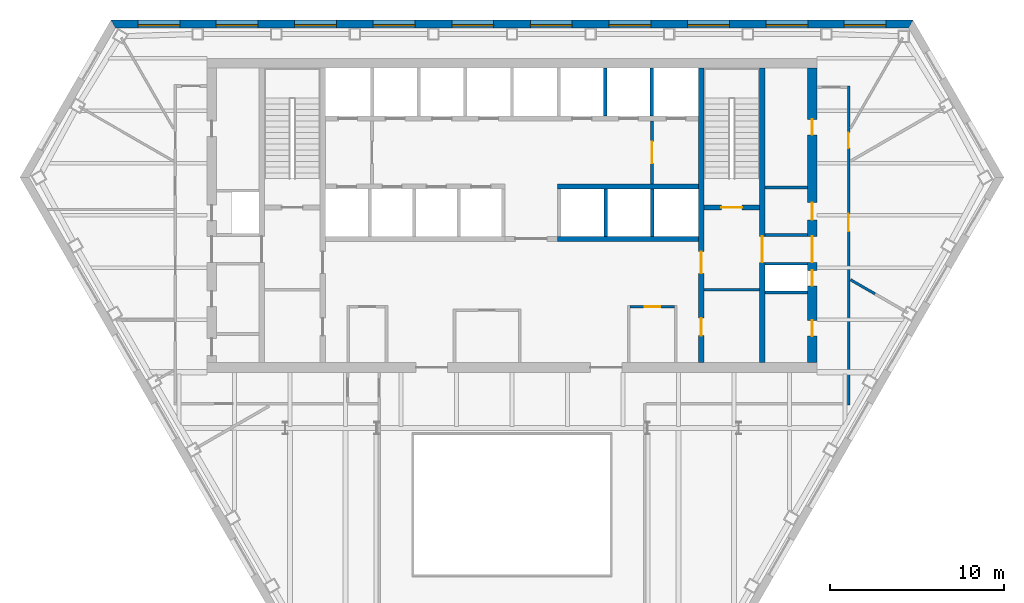
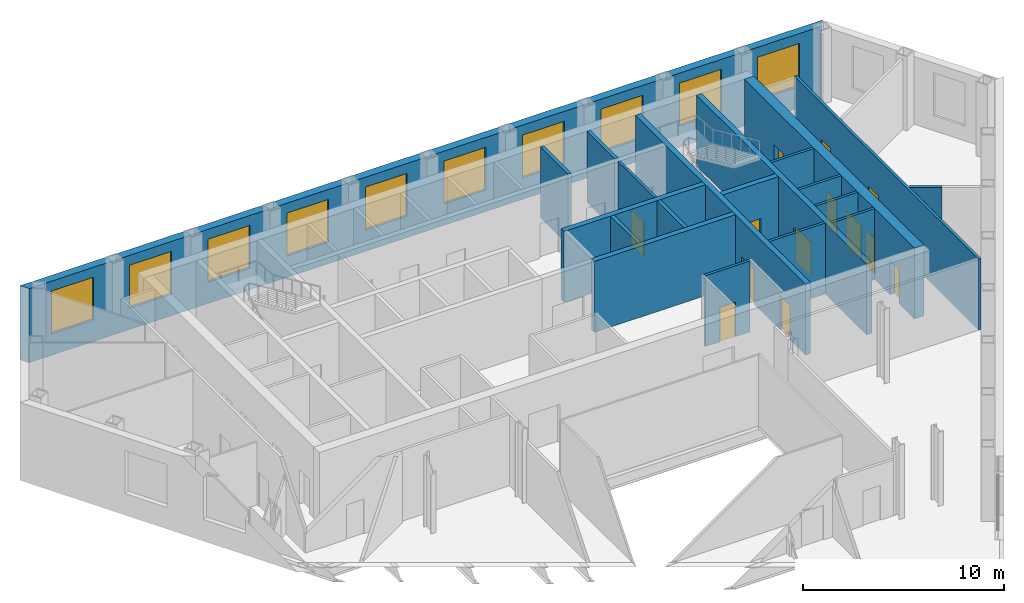
# One storey, part 7 of 11: 20 walls, 13 doors, 10 windows, 23 openings.
"""IFC4 building model written with IfcOpenShell, lengths in metres."""

from ifc_helpers import new_model, si_unit, direction, frame, frame_2d, origin, place, context, subcontext, project, spatial, polyline, rectangle, outline, extrude, material, layer, layer_set, type_object, element, fill, save


model = new_model("IFC4")

# Units and contexts
model_context = context("Model", 3, precision=1e-05, world=origin(), true_north=direction((0.0, 1.0)))
body_context = subcontext(model_context, "Body", "Model", "MODEL_VIEW")
ifc_project = project(units=[si_unit("LENGTHUNIT", "METRE"), si_unit("AREAUNIT", "SQUARE_METRE"), si_unit("VOLUMEUNIT", "CUBIC_METRE"), si_unit("PLANEANGLEUNIT", "RADIAN"), si_unit("MASSUNIT", "GRAM", prefix="KILO")], contexts=[model_context])

# Site, building, storey
site_placement = place(None, origin())
site = spatial("IfcSite", under=ifc_project, at=site_placement, CompositionType="ELEMENT")
building_placement = place(site_placement, origin())
building = spatial("IfcBuilding", under=site, at=building_placement, Name="Njiva Tower", CompositionType="ELEMENT")
storey_placement = place(building_placement, frame((0.0, 0.0, 93.3)))
storey = spatial("IfcBuildingStorey", under=building, at=storey_placement, Name="L19", CompositionType="ELEMENT", Elevation=93.3)

# Walls
ifc_material_1 = material(Name="Blockwork", Category="masonry")
ifc_layer_1 = layer(ifc_material_1, 0.15)
ifc_layer_set_1 = layer_set([ifc_layer_1], Name="Blockwork")
wall_type_1 = type_object("IfcWallType", Name="WT1 Compartment partition 150", PredefinedType="PARTITIONING", material=ifc_layer_set_1)
wall_1_placement = place(storey_placement, frame((11.0, 4.725, 0.0), z_axis=(0.0, 0.0, 1.0), x_axis=(1.0, 0.0, 0.0)))
element("IfcWall", 1, at=wall_1_placement, inside=storey, type_object=wall_type_1, Name="Room wall B", PredefinedType="PARTITIONING", context=body_context, shape_type="SweptSolid", body=[
    extrude(rectangle(XDim=3.2, YDim=0.15, at=frame_2d((1.6, 0.0))), origin(), (0.0, 0.0, 1.0), 4.3),
])
wall_2_placement = place(storey_placement, frame((14.5, 10.5941, 0.0), z_axis=(0.0, 0.0, 1.0), x_axis=(1.0, 0.0, 0.0)))
element("IfcWall", 2, at=wall_2_placement, inside=storey, type_object=wall_type_1, Name="Partition strip E10", PredefinedType="PARTITIONING", context=body_context, shape_type="SweptSolid", body=[
    extrude(rectangle(XDim=2.45, YDim=0.15, at=frame_2d((1.225, 0.0))), origin(), (0.0, 0.0, 1.0), 4.3),
])

# Wall, opening, door
wall_3_placement = place(storey_placement, frame((6.775, 3.75, 0.0), z_axis=(0.0, 0.0, 1.0), x_axis=(1.0, 0.0, 0.0)))
wall_3 = element("IfcWall", 3, at=wall_3_placement, inside=storey, type_object=wall_type_1, Name="Information office wall north", PredefinedType="PARTITIONING", context=body_context, shape_type="SweptSolid", body=[
    extrude(rectangle(XDim=2.55, YDim=0.15, at=frame_2d((1.275, 0.0))), origin(), (0.0, 0.0, 1.0), 4.3),
])
opening_1_placement = place(wall_3_placement, frame((0.825, 0.0, 0.0)))
opening_1 = element("IfcOpeningElement", 4, at=opening_1_placement, cuts=wall_3, Name="Opening S06-D934", PredefinedType="OPENING", context=body_context, shape_type="SweptSolid", body=[
    extrude(rectangle(XDim=0.9, YDim=2.1, at=frame_2d((0.45, 1.05))), frame((0.0, 0.085, 0.0), z_axis=(0.0, -1.0, 0.0), x_axis=(1.0, 0.0, 0.0)), (0.0, 0.0, 1.0), 0.17),
])
ifc_material_2 = material(Name="Steel fire door, painted", Category="steel")
door_type_1 = type_object("IfcDoorType", Name="D6 Fire-rated door 900x2100", OperationType="SINGLE_SWING_LEFT", PredefinedType="DOOR", material=ifc_material_2)
door_1_placement = place(opening_1_placement, origin())
door_1 = element("IfcDoor", 5, at=door_1_placement, inside=storey, type_object=door_type_1, Name="Information office door", OperationType="SINGLE_SWING_RIGHT", OverallHeight=2.1, OverallWidth=0.9, PredefinedType="DOOR", context=body_context, shape_type="SweptSolid", body=[
    extrude(rectangle(XDim=0.9, YDim=2.1, at=frame_2d((0.45, 1.05))), frame((0.0, 0.025, 0.0), z_axis=(0.0, -1.0, 0.0), x_axis=(1.0, 0.0, 0.0)), (0.0, 0.0, 1.0), 0.05),
])
fill(opening_1, door_1)

# Wall, openings, doors
ifc_material_3 = material(Name="Concrete C40/50", Category="concrete")
ifc_layer_2 = layer(ifc_material_3, 0.3)
ifc_layer_set_2 = layer_set([ifc_layer_2], Name="Concrete C40/50")
wall_type_2 = type_object("IfcWallType", Name="WT10 Stair enclosure wall 300", PredefinedType="SHEAR", material=ifc_layer_set_2)
wall_4_placement = place(storey_placement, frame((10.85, 0.55, 0.0), z_axis=(0.0, 0.0, 1.0), x_axis=(0.0, 1.0, 0.0)))
wall_4 = element("IfcWall", 6, at=wall_4_placement, inside=storey, type_object=wall_type_2, Name="Stair wall east inner", PredefinedType="SHEAR", context=body_context, shape_type="SweptSolid", body=[
    extrude(rectangle(XDim=16.9, YDim=0.3, at=frame_2d((8.45, 0.0))), origin(), (0.0, 0.0, 1.0), 4.3),
])
opening_2_placement = place(wall_4_placement, frame((5.125, 0.0, 0.0)))
opening_2 = element("IfcOpeningElement", 7, at=opening_2_placement, cuts=wall_4, Name="Opening S06-D918", PredefinedType="OPENING", context=body_context, shape_type="SweptSolid", body=[
    extrude(rectangle(XDim=1.25, YDim=2.1, at=frame_2d((0.625, 1.05))), frame((0.0, 0.16, 0.0), z_axis=(0.0, -1.0, 0.0), x_axis=(1.0, 0.0, 0.0)), (0.0, 0.0, 1.0), 0.32),
])
opening_3_placement = place(wall_4_placement, frame((1.55, 0.0, 0.0)))
opening_3 = element("IfcOpeningElement", 8, at=opening_3_placement, cuts=wall_4, Name="Opening S06-D919", PredefinedType="OPENING", context=body_context, shape_type="SweptSolid", body=[
    extrude(rectangle(XDim=1.0, YDim=2.1, at=frame_2d((0.5, 1.05))), frame((0.0, 0.16, 0.0), z_axis=(0.0, -1.0, 0.0), x_axis=(1.0, 0.0, 0.0)), (0.0, 0.0, 1.0), 0.32),
])
ifc_material_4 = material(Name="Steel door, painted", Category="steel")
door_type_2 = type_object("IfcDoorType", Name="D5 Steel door 1000x2100", OperationType="SINGLE_SWING_LEFT", PredefinedType="DOOR", material=ifc_material_4)
door_2_placement = place(opening_3_placement, origin())
door_2 = element("IfcDoor", 9, at=door_2_placement, inside=storey, type_object=door_type_2, Name="Business centre door", OperationType="SINGLE_SWING_LEFT", OverallHeight=2.1, OverallWidth=1.0, PredefinedType="DOOR", context=body_context, shape_type="SweptSolid", body=[
    extrude(rectangle(XDim=1.0, YDim=2.1, at=frame_2d((0.5, 1.05))), frame((0.0, 0.025, 0.0), z_axis=(0.0, -1.0, 0.0), x_axis=(1.0, 0.0, 0.0)), (0.0, 0.0, 1.0), 0.05),
])
fill(opening_3, door_2)
ifc_material_5 = material(Name="Glazed steel fire door", Category="steel")
door_type_3 = type_object("IfcDoorType", Name="D8 Vestibule corridor door 1250x2100 glazed", OperationType="SINGLE_SWING_LEFT", PredefinedType="DOOR", material=ifc_material_5)
door_3_placement = place(opening_2_placement, origin())
door_3 = element("IfcDoor", 10, at=door_3_placement, inside=storey, type_object=door_type_3, Name="Stair vestibule corridor door", OperationType="SINGLE_SWING_RIGHT", OverallHeight=2.1, OverallWidth=1.25, PredefinedType="DOOR", context=body_context, shape_type="SweptSolid", body=[
    extrude(rectangle(XDim=1.25, YDim=2.1, at=frame_2d((0.625, 1.05))), frame((0.0, 0.025, 0.0), z_axis=(0.0, -1.0, 0.0), x_axis=(1.0, 0.0, 0.0)), (0.0, 0.0, 1.0), 0.05),
])
fill(opening_2, door_3)

# Wall, opening, door
wall_5_placement = place(storey_placement, frame((14.35, 0.55, 0.0), z_axis=(0.0, 0.0, 1.0), x_axis=(0.0, 1.0, 0.0)))
wall_5 = element("IfcWall", 11, at=wall_5_placement, inside=storey, type_object=wall_type_2, Name="Stair wall east outer", PredefinedType="SHEAR", context=body_context, shape_type="SweptSolid", body=[
    extrude(rectangle(XDim=16.9, YDim=0.3, at=frame_2d((8.45, 0.0))), origin(), (0.0, 0.0, 1.0), 4.3),
])
opening_4_placement = place(wall_5_placement, frame((5.75, 0.0, 0.0)))
opening_4 = element("IfcOpeningElement", 12, at=opening_4_placement, cuts=wall_5, Name="Opening S06-D926", PredefinedType="OPENING", context=body_context, shape_type="SweptSolid", body=[
    extrude(rectangle(XDim=1.5, YDim=2.1, at=frame_2d((0.75, 1.05))), frame((0.0, 0.16, 0.0), z_axis=(0.0, -1.0, 0.0), x_axis=(1.0, 0.0, 0.0)), (0.0, 0.0, 1.0), 0.32),
])
door_type_4 = type_object("IfcDoorType", Name="D10 Exit door double 1500x2100 glazed", OperationType="DOUBLE_DOOR_SINGLE_SWING", PredefinedType="DOOR", material=ifc_material_5)
door_4_placement = place(opening_4_placement, origin())
door_4 = element("IfcDoor", 13, at=door_4_placement, inside=storey, type_object=door_type_4, Name="Stair B passage door", OperationType="DOUBLE_DOOR_SINGLE_SWING", OverallHeight=2.1, OverallWidth=1.5, PredefinedType="DOOR", context=body_context, shape_type="SweptSolid", body=[
    extrude(rectangle(XDim=1.5, YDim=2.1, at=frame_2d((0.75, 1.05))), frame((0.0, 0.025, 0.0), z_axis=(0.0, -1.0, 0.0), x_axis=(1.0, 0.0, 0.0)), (0.0, 0.0, 1.0), 0.05),
])
fill(opening_4, door_4)

wall_6_placement = place(storey_placement, frame((11.0, 9.45, 0.0), z_axis=(0.0, 0.0, 1.0), x_axis=(1.0, 0.0, 0.0)))
wall_6 = element("IfcWall", 14, at=wall_6_placement, inside=storey, type_object=wall_type_2, Name="Stair B south wall", PredefinedType="SHEAR", context=body_context, shape_type="SweptSolid", body=[
    extrude(rectangle(XDim=3.2, YDim=0.3, at=frame_2d((1.6, 0.0))), origin(), (0.0, 0.0, 1.0), 4.3),
])
opening_5_placement = place(wall_6_placement, frame((1.0, 0.0, 0.0)))
opening_5 = element("IfcOpeningElement", 15, at=opening_5_placement, cuts=wall_6, Name="Opening S06-D917", PredefinedType="OPENING", context=body_context, shape_type="SweptSolid", body=[
    extrude(rectangle(XDim=1.2, YDim=2.1, at=frame_2d((0.6, 1.05))), frame((0.0, 0.16, 0.0), z_axis=(0.0, -1.0, 0.0), x_axis=(1.0, 0.0, 0.0)), (0.0, 0.0, 1.0), 0.32),
])
door_type_5 = type_object("IfcDoorType", Name="D7 Stair vestibule door 1200x2100 glazed", OperationType="SINGLE_SWING_LEFT", PredefinedType="DOOR", material=ifc_material_5)
door_5_placement = place(opening_5_placement, origin())
door_5 = element("IfcDoor", 16, at=door_5_placement, inside=storey, type_object=door_type_5, Name="Stair B door", OperationType="SINGLE_SWING_LEFT", OverallHeight=2.1, OverallWidth=1.2, PredefinedType="DOOR", context=body_context, shape_type="SweptSolid", body=[
    extrude(rectangle(XDim=1.2, YDim=2.1, at=frame_2d((0.6, 1.05))), frame((0.0, 0.025, 0.0), z_axis=(0.0, -1.0, 0.0), x_axis=(1.0, 0.0, 0.0)), (0.0, 0.0, 1.0), 0.05),
])
fill(opening_5, door_5)

# Wall, openings, doors
ifc_material_6 = material(Name="Concrete C60/75", Category="concrete")
ifc_layer_3 = layer(ifc_material_6, 0.55)
ifc_layer_set_3 = layer_set([ifc_layer_3], Name="Concrete C60/75")
wall_type_3 = type_object("IfcWallType", Name="WT14 Core wall 550", PredefinedType="SHEAR", material=ifc_layer_set_3)
wall_7_placement = place(storey_placement, frame((17.225, 0.55, 0.0), z_axis=(0.0, 0.0, 1.0), x_axis=(0.0, 1.0, 0.0)))
wall_7 = element("IfcWall", 17, at=wall_7_placement, inside=storey, type_object=wall_type_3, Name="Core wall east", PredefinedType="SHEAR", context=body_context, shape_type="SweptSolid", body=[
    extrude(rectangle(XDim=16.9, YDim=0.55, at=frame_2d((8.45, 0.0))), origin(), (0.0, 0.0, 1.0), 4.3),
])
opening_6_placement = place(wall_7_placement, frame((5.75, 0.0, 0.0)))
opening_6 = element("IfcOpeningElement", 18, at=opening_6_placement, cuts=wall_7, Name="Opening S06-D927", PredefinedType="OPENING", context=body_context, shape_type="SweptSolid", body=[
    extrude(rectangle(XDim=1.5, YDim=2.1, at=frame_2d((0.75, 1.05))), frame((0.0, 0.285, 0.0), z_axis=(0.0, -1.0, 0.0), x_axis=(1.0, 0.0, 0.0)), (0.0, 0.0, 1.0), 0.57),
])
opening_7_placement = place(wall_7_placement, frame((1.525, 0.0, 0.0)))
opening_7 = element("IfcOpeningElement", 19, at=opening_7_placement, cuts=wall_7, Name="Opening S06-D928", PredefinedType="OPENING", context=body_context, shape_type="SweptSolid", body=[
    extrude(rectangle(XDim=0.9, YDim=2.1, at=frame_2d((0.45, 1.05))), frame((0.0, 0.285, 0.0), z_axis=(0.0, -1.0, 0.0), x_axis=(1.0, 0.0, 0.0)), (0.0, 0.0, 1.0), 0.57),
])
opening_8_placement = place(wall_7_placement, frame((4.4, 0.0, 0.0)))
opening_8 = element("IfcOpeningElement", 20, at=opening_8_placement, cuts=wall_7, Name="Opening S06-D929", PredefinedType="OPENING", context=body_context, shape_type="SweptSolid", body=[
    extrude(rectangle(XDim=0.9, YDim=2.1, at=frame_2d((0.45, 1.05))), frame((0.0, 0.285, 0.0), z_axis=(0.0, -1.0, 0.0), x_axis=(1.0, 0.0, 0.0)), (0.0, 0.0, 1.0), 0.57),
])
opening_9_placement = place(wall_7_placement, frame((8.1845, 0.0, 0.0)))
opening_9 = element("IfcOpeningElement", 21, at=opening_9_placement, cuts=wall_7, Name="Opening S06-D930", PredefinedType="OPENING", context=body_context, shape_type="SweptSolid", body=[
    extrude(rectangle(XDim=1.0, YDim=2.1, at=frame_2d((0.5, 1.05))), frame((0.0, 0.285, 0.0), z_axis=(0.0, -1.0, 0.0), x_axis=(1.0, 0.0, 0.0)), (0.0, 0.0, 1.0), 0.57),
])
opening_10_placement = place(wall_7_placement, frame((13.0595, 0.0, 0.0)))
opening_10 = element("IfcOpeningElement", 22, at=opening_10_placement, cuts=wall_7, Name="Opening S06-D931", PredefinedType="OPENING", context=body_context, shape_type="SweptSolid", body=[
    extrude(rectangle(XDim=0.9, YDim=2.1, at=frame_2d((0.45, 1.05))), frame((0.0, 0.285, 0.0), z_axis=(0.0, -1.0, 0.0), x_axis=(1.0, 0.0, 0.0)), (0.0, 0.0, 1.0), 0.57),
])
door_6_placement = place(opening_6_placement, origin())
door_6 = element("IfcDoor", 23, at=door_6_placement, inside=storey, type_object=door_type_4, Name="Stair B corridor door", OperationType="DOUBLE_DOOR_SINGLE_SWING", OverallHeight=2.1, OverallWidth=1.5, PredefinedType="DOOR", context=body_context, shape_type="SweptSolid", body=[
    extrude(rectangle(XDim=1.5, YDim=2.1, at=frame_2d((0.75, 1.05))), frame((0.0, 0.025, 0.0), z_axis=(0.0, -1.0, 0.0), x_axis=(1.0, 0.0, 0.0)), (0.0, 0.0, 1.0), 0.05),
])
fill(opening_6, door_6)
door_type_6 = type_object("IfcDoorType", Name="D4 Riser door 900x2100", OperationType="SINGLE_SWING_LEFT", PredefinedType="DOOR", material=ifc_material_4)
door_7_placement = place(opening_8_placement, origin())
door_7 = element("IfcDoor", 24, at=door_7_placement, inside=storey, type_object=door_type_6, Name="Riser door", OperationType="SINGLE_SWING_LEFT", OverallHeight=2.1, OverallWidth=0.9, PredefinedType="DOOR", context=body_context, shape_type="SweptSolid", body=[
    extrude(rectangle(XDim=0.9, YDim=2.1, at=frame_2d((0.45, 1.05))), frame((0.0, 0.025, 0.0), z_axis=(0.0, -1.0, 0.0), x_axis=(1.0, 0.0, 0.0)), (0.0, 0.0, 1.0), 0.05),
])
fill(opening_8, door_7)
door_8_placement = place(opening_9_placement, origin())
door_8 = element("IfcDoor", 25, at=door_8_placement, inside=storey, type_object=door_type_2, Name="Telecoms room door", OperationType="SINGLE_SWING_LEFT", OverallHeight=2.1, OverallWidth=1.0, PredefinedType="DOOR", context=body_context, shape_type="SweptSolid", body=[
    extrude(rectangle(XDim=1.0, YDim=2.1, at=frame_2d((0.5, 1.05))), frame((0.0, 0.025, 0.0), z_axis=(0.0, -1.0, 0.0), x_axis=(1.0, 0.0, 0.0)), (0.0, 0.0, 1.0), 0.05),
])
fill(opening_9, door_8)
door_9_placement = place(opening_7_placement, origin())
door_9 = element("IfcDoor", 26, at=door_9_placement, inside=storey, type_object=door_type_1, Name="Reading room door", OperationType="SINGLE_SWING_RIGHT", OverallHeight=2.1, OverallWidth=0.9, PredefinedType="DOOR", context=body_context, shape_type="SweptSolid", body=[
    extrude(rectangle(XDim=0.9, YDim=2.1, at=frame_2d((0.45, 1.05))), frame((0.0, 0.025, 0.0), z_axis=(0.0, -1.0, 0.0), x_axis=(1.0, 0.0, 0.0)), (0.0, 0.0, 1.0), 0.05),
])
fill(opening_7, door_9)
door_10_placement = place(opening_10_placement, origin())
door_10 = element("IfcDoor", 27, at=door_10_placement, inside=storey, type_object=door_type_1, Name="Tenant centre door", OperationType="SINGLE_SWING_LEFT", OverallHeight=2.1, OverallWidth=0.9, PredefinedType="DOOR", context=body_context, shape_type="SweptSolid", body=[
    extrude(rectangle(XDim=0.9, YDim=2.1, at=frame_2d((0.45, 1.05))), frame((0.0, 0.025, 0.0), z_axis=(0.0, -1.0, 0.0), x_axis=(1.0, 0.0, 0.0)), (0.0, 0.0, 1.0), 0.05),
])
fill(opening_10, door_10)

# Wall, opening, door
ifc_layer_4 = layer(ifc_material_1, 0.15)
ifc_layer_set_4 = layer_set([ifc_layer_4], Name="Blockwork")
wall_type_4 = type_object("IfcWallType", Name="WT2 Lobby partition 150", PredefinedType="PARTITIONING", material=ifc_layer_set_4)
wall_8_placement = place(storey_placement, frame((8.025, 10.8, 0.0), z_axis=(0.0, 0.0, 1.0), x_axis=(0.0, 1.0, 0.0)))
wall_8 = element("IfcWall", 28, at=wall_8_placement, inside=storey, type_object=wall_type_4, Name="Firefighting lobby wall B", PredefinedType="PARTITIONING", context=body_context, shape_type="SweptSolid", body=[
    extrude(rectangle(XDim=3.6, YDim=0.15, at=frame_2d((1.8, 0.0))), origin(), (0.0, 0.0, 1.0), 4.3),
])
opening_11_placement = place(wall_8_placement, frame((1.175, 0.0, 0.0)))
opening_11 = element("IfcOpeningElement", 29, at=opening_11_placement, cuts=wall_8, Name="Opening S06-D916", PredefinedType="OPENING", context=body_context, shape_type="SweptSolid", body=[
    extrude(rectangle(XDim=1.25, YDim=2.1, at=frame_2d((0.625, 1.05))), frame((0.0, 0.085, 0.0), z_axis=(0.0, -1.0, 0.0), x_axis=(1.0, 0.0, 0.0)), (0.0, 0.0, 1.0), 0.17),
])
door_11_placement = place(opening_11_placement, origin())
door_11 = element("IfcDoor", 30, at=door_11_placement, inside=storey, type_object=door_type_3, Name="Stair vestibule corridor door", OperationType="SINGLE_SWING_LEFT", OverallHeight=2.1, OverallWidth=1.25, PredefinedType="DOOR", context=body_context, shape_type="SweptSolid", body=[
    extrude(rectangle(XDim=1.25, YDim=2.1, at=frame_2d((0.625, 1.05))), frame((0.0, 0.025, 0.0), z_axis=(0.0, -1.0, 0.0), x_axis=(1.0, 0.0, 0.0)), (0.0, 0.0, 1.0), 0.05),
])
fill(opening_11, door_11)

# Wall, openings, doors
ifc_material_7 = material(Name="Gypsum board on steel studs", Category="gypsum")
ifc_layer_5 = layer(ifc_material_7, 0.15)
ifc_layer_set_5 = layer_set([ifc_layer_5], Name="Gypsum board on steel studs")
wall_type_5 = type_object("IfcWallType", Name="WT21 Compartment wall 150", PredefinedType="PARTITIONING", material=ifc_layer_set_5)
wall_9_placement = place(storey_placement, frame((19.3, -1.875, 0.0), z_axis=(0.0, 0.0, 1.0), x_axis=(0.0, 1.0, 0.0)))
wall_9 = element("IfcWall", 31, at=wall_9_placement, inside=storey, type_object=wall_type_5, Name="Partition S06-P020", PredefinedType="PARTITIONING", context=body_context, shape_type="SweptSolid", body=[
    extrude(rectangle(XDim=18.3, YDim=0.15, at=frame_2d((9.15, 0.0))), origin(), (0.0, 0.0, 1.0), 4.3),
])
opening_12_placement = place(wall_9_placement, frame((9.958, 0.0, 0.0)))
opening_12 = element("IfcOpeningElement", 32, at=opening_12_placement, cuts=wall_9, Name="Opening S06-D012", PredefinedType="OPENING", context=body_context, shape_type="SweptSolid", body=[
    extrude(rectangle(XDim=1.0, YDim=2.1, at=frame_2d((0.5, 1.05))), frame((0.0, 0.085, 0.0), z_axis=(0.0, -1.0, 0.0), x_axis=(1.0, 0.0, 0.0)), (0.0, 0.0, 1.0), 0.17),
])
opening_13_placement = place(wall_9_placement, frame((14.725, 0.0, 0.0)))
opening_13 = element("IfcOpeningElement", 33, at=opening_13_placement, cuts=wall_9, Name="Opening S06-D013", PredefinedType="OPENING", context=body_context, shape_type="SweptSolid", body=[
    extrude(rectangle(XDim=0.9, YDim=2.1, at=frame_2d((0.45, 1.05))), frame((0.0, 0.085, 0.0), z_axis=(0.0, -1.0, 0.0), x_axis=(1.0, 0.0, 0.0)), (0.0, 0.0, 1.0), 0.17),
])
ifc_material_8 = material(Name="Steel fire door set", Category="steel")
door_type_7 = type_object("IfcDoorType", Name="D36 Fire door 900x2100", OperationType="SINGLE_SWING_LEFT", PredefinedType="DOOR", material=ifc_material_8)
door_12_placement = place(opening_13_placement, origin())
door_12 = element("IfcDoor", 34, at=door_12_placement, inside=storey, type_object=door_type_7, Name="Door S06-D013", OperationType="SINGLE_SWING_RIGHT", OverallHeight=2.1, OverallWidth=0.9, PredefinedType="DOOR", context=body_context, shape_type="SweptSolid", body=[
    extrude(rectangle(XDim=0.9, YDim=2.1, at=frame_2d((0.45, 1.05))), frame((0.0, 0.025, 0.0), z_axis=(0.0, -1.0, 0.0), x_axis=(1.0, 0.0, 0.0)), (0.0, 0.0, 1.0), 0.05),
])
fill(opening_13, door_12)
door_type_8 = type_object("IfcDoorType", Name="D37 Fire door 1000x2100", OperationType="SINGLE_SWING_LEFT", PredefinedType="DOOR", material=ifc_material_8)
door_13_placement = place(opening_12_placement, origin())
door_13 = element("IfcDoor", 35, at=door_13_placement, inside=storey, type_object=door_type_8, Name="Door S06-D012", OperationType="SINGLE_SWING_RIGHT", OverallHeight=2.1, OverallWidth=1.0, PredefinedType="DOOR", context=body_context, shape_type="SweptSolid", body=[
    extrude(rectangle(XDim=1.0, YDim=2.1, at=frame_2d((0.5, 1.05))), frame((0.0, 0.025, 0.0), z_axis=(0.0, -1.0, 0.0), x_axis=(1.0, 0.0, 0.0)), (0.0, 0.0, 1.0), 0.05),
])
fill(opening_12, door_13)

# Walls
wall_10_placement = place(storey_placement, frame((19.413, 5.306, 0.0), z_axis=(0.0, 0.0, 1.0), x_axis=(0.865835305332, -0.500329115724, 0.0)))
element("IfcWall", 36, at=wall_10_placement, inside=storey, type_object=wall_type_5, Name="Partition S06-P022", PredefinedType="PARTITIONING", context=body_context, shape_type="SweptSolid", body=[
    extrude(rectangle(XDim=1.6169, YDim=0.15, at=frame_2d((0.8084, 0.0))), origin(), (0.0, 0.0, 1.0), 4.3),
])
ifc_layer_6 = layer(ifc_material_1, 0.15)
ifc_layer_set_6 = layer_set([ifc_layer_6], Name="Blockwork")
wall_type_6 = type_object("IfcWallType", Name="WT3 Riser partition 150", PredefinedType="PARTITIONING", material=ifc_layer_set_6)
wall_11_placement = place(storey_placement, frame((14.5, 4.575, 0.0), z_axis=(0.0, 0.0, 1.0), x_axis=(1.0, 0.0, 0.0)))
element("IfcWall", 37, at=wall_11_placement, inside=storey, type_object=wall_type_6, Name="Partition strip E00", PredefinedType="PARTITIONING", context=body_context, shape_type="SweptSolid", body=[
    extrude(rectangle(XDim=2.45, YDim=0.15, at=frame_2d((1.225, 0.0))), origin(), (0.0, 0.0, 1.0), 4.3),
])
ifc_layer_7 = layer(ifc_material_1, 0.15)
ifc_layer_set_7 = layer_set([ifc_layer_7], Name="Blockwork")
wall_type_7 = type_object("IfcWallType", Name="WT4 Stair partition 150", PredefinedType="PARTITIONING", material=ifc_layer_set_7)
for number, where, z_axis, x_axis, name in (
    (38, (14.5, 6.225, 0.0), (0.0, 0.0, 1.0), (1.0, 0.0, 0.0), "Stair B exit passage wall south"),
    (39, (14.5, 7.875, 0.0), (0.0, 0.0, 1.0), (1.0, 0.0, 0.0), "Stair B exit passage wall north"),
):
    element("IfcWall", number, at=place(storey_placement, frame(where, z_axis=z_axis, x_axis=x_axis)), inside=storey, type_object=wall_type_7, Name=name, PredefinedType="PARTITIONING", context=body_context, shape_type="SweptSolid", body=[
        extrude(rectangle(XDim=2.45, YDim=0.15, at=frame_2d((1.225, 0.0))), origin(), (0.0, 0.0, 1.0), 4.3),
    ])
ifc_layer_8 = layer(ifc_material_3, 0.2)
ifc_layer_set_8 = layer_set([ifc_layer_8], Name="Concrete C40/50")
wall_type_8 = type_object("IfcWallType", Name="WT6 Lift shaft wall 200", PredefinedType="SHEAR", material=ifc_layer_set_8)
for number, where, z_axis, x_axis, name in (
    (40, (5.35, 14.7, 0.0), (0.0, 0.0, 1.0), (0.0, 1.0, 0.0), "Shaft wall CN6"),
    (41, (8.025, 14.7, 0.0), (0.0, 0.0, 1.0), (0.0, 1.0, 0.0), "Shaft wall CN7"),
):
    element("IfcWall", number, at=place(storey_placement, frame(where, z_axis=z_axis, x_axis=x_axis)), inside=storey, type_object=wall_type_8, Name=name, PredefinedType="SHEAR", context=body_context, shape_type="SweptSolid", body=[
        extrude(rectangle(XDim=2.75, YDim=0.2, at=frame_2d((1.375, 0.0))), origin(), (0.0, 0.0, 1.0), 4.3),
    ])
for number, where, z_axis, x_axis, name in (
    (42, (5.3667, 7.8, 0.0), (0.0, 0.0, 1.0), (0.0, 1.0, 0.0), "Shaft wall CS6"),
    (43, (8.0333, 7.8, 0.0), (0.0, 0.0, 1.0), (0.0, 1.0, 0.0), "Shaft wall CS7"),
):
    element("IfcWall", number, at=place(storey_placement, frame(where, z_axis=z_axis, x_axis=x_axis)), inside=storey, type_object=wall_type_8, Name=name, PredefinedType="SHEAR", context=body_context, shape_type="SweptSolid", body=[
        extrude(rectangle(XDim=2.7, YDim=0.2, at=frame_2d((1.35, 0.0))), origin(), (0.0, 0.0, 1.0), 4.3),
    ])
ifc_layer_9 = layer(ifc_material_3, 0.3)
ifc_layer_set_9 = layer_set([ifc_layer_9], Name="Concrete C40/50")
wall_type_9 = type_object("IfcWallType", Name="WT7 Lift shaft wall 300", PredefinedType="SHEAR", material=ifc_layer_set_9)
for number, where, z_axis, x_axis, name in (
    (44, (2.6, 10.65, 0.0), (0.0, 0.0, 1.0), (1.0, 0.0, 0.0), "Shaft wall south row lobby side E"),
    (45, (2.6, 7.65, 0.0), (0.0, 0.0, 1.0), (1.0, 0.0, 0.0), "Shaft wall south row back E"),
):
    element("IfcWall", number, at=place(storey_placement, frame(where, z_axis=z_axis, x_axis=x_axis)), inside=storey, type_object=wall_type_9, Name=name, PredefinedType="SHEAR", context=body_context, shape_type="SweptSolid", body=[
        extrude(rectangle(XDim=8.1, YDim=0.3, at=frame_2d((4.05, 0.0))), origin(), (0.0, 0.0, 1.0), 4.3),
    ])

# Wall, openings, windows
ifc_material_9 = material(Name="Brick masonry", Category="masonry")
ifc_layer_10 = layer(ifc_material_9, 0.45)
ifc_layer_set_10 = layer_set([ifc_layer_10], Name="Brick masonry")
wall_type_10 = type_object("IfcWallType", Name="WT90 Brick pier and spandrel wall 450", PredefinedType="SOLIDWALL", material=ifc_layer_set_10)
wall_12_placement = place(storey_placement, frame((22.8651, 19.975, -0.4), z_axis=(0.0, 0.0, 1.0), x_axis=(-1.0, 0.0, 0.0)))
wall_12 = element("IfcWall", 46, at=wall_12_placement, inside=storey, type_object=wall_type_10, Name="Facade wall N", PredefinedType="SOLIDWALL", context=body_context, shape_type="SweptSolid", body=[
    extrude(outline(polyline([(-0.1299, -0.225), (45.8601, -0.225), (45.6003, 0.225), (0.1299, 0.225), (-0.1299, -0.225)])), origin(), (0.0, 0.0, 1.0), 4.5),
])
opening_14_placement = place(wall_12_placement, frame((1.4237, 0.0, 1.3)))
opening_14 = element("IfcOpeningElement", 47, at=opening_14_placement, cuts=wall_12, Name="Opening S06-W01", PredefinedType="OPENING", context=body_context, shape_type="SweptSolid", body=[
    extrude(rectangle(XDim=2.4, YDim=2.6, at=frame_2d((1.2, 1.3))), frame((0.0, 0.235, 0.0), z_axis=(0.0, -1.0, 0.0), x_axis=(1.0, 0.0, 0.0)), (0.0, 0.0, 1.0), 0.47),
])
opening_15_placement = place(wall_12_placement, frame((5.8919, 0.0, 1.3)))
opening_15 = element("IfcOpeningElement", 48, at=opening_15_placement, cuts=wall_12, Name="Opening S06-W02", PredefinedType="OPENING", context=body_context, shape_type="SweptSolid", body=[
    extrude(rectangle(XDim=2.4, YDim=2.6, at=frame_2d((1.2, 1.3))), frame((0.0, 0.235, 0.0), z_axis=(0.0, -1.0, 0.0), x_axis=(1.0, 0.0, 0.0)), (0.0, 0.0, 1.0), 0.47),
])
opening_16_placement = place(wall_12_placement, frame((10.3985, 0.0, 1.3)))
opening_16 = element("IfcOpeningElement", 49, at=opening_16_placement, cuts=wall_12, Name="Opening S06-W03", PredefinedType="OPENING", context=body_context, shape_type="SweptSolid", body=[
    extrude(rectangle(XDim=2.4, YDim=2.6, at=frame_2d((1.2, 1.3))), frame((0.0, 0.235, 0.0), z_axis=(0.0, -1.0, 0.0), x_axis=(1.0, 0.0, 0.0)), (0.0, 0.0, 1.0), 0.47),
])
opening_17_placement = place(wall_12_placement, frame((14.9052, 0.0, 1.3)))
opening_17 = element("IfcOpeningElement", 50, at=opening_17_placement, cuts=wall_12, Name="Opening S06-W04", PredefinedType="OPENING", context=body_context, shape_type="SweptSolid", body=[
    extrude(rectangle(XDim=2.4, YDim=2.6, at=frame_2d((1.2, 1.3))), frame((0.0, 0.235, 0.0), z_axis=(0.0, -1.0, 0.0), x_axis=(1.0, 0.0, 0.0)), (0.0, 0.0, 1.0), 0.47),
])
opening_18_placement = place(wall_12_placement, frame((19.4118, 0.0, 1.3)))
opening_18 = element("IfcOpeningElement", 51, at=opening_18_placement, cuts=wall_12, Name="Opening S06-W05", PredefinedType="OPENING", context=body_context, shape_type="SweptSolid", body=[
    extrude(rectangle(XDim=2.4, YDim=2.6, at=frame_2d((1.2, 1.3))), frame((0.0, 0.235, 0.0), z_axis=(0.0, -1.0, 0.0), x_axis=(1.0, 0.0, 0.0)), (0.0, 0.0, 1.0), 0.47),
])
opening_19_placement = place(wall_12_placement, frame((23.9184, 0.0, 1.3)))
opening_19 = element("IfcOpeningElement", 52, at=opening_19_placement, cuts=wall_12, Name="Opening S06-W06", PredefinedType="OPENING", context=body_context, shape_type="SweptSolid", body=[
    extrude(rectangle(XDim=2.4, YDim=2.6, at=frame_2d((1.2, 1.3))), frame((0.0, 0.235, 0.0), z_axis=(0.0, -1.0, 0.0), x_axis=(1.0, 0.0, 0.0)), (0.0, 0.0, 1.0), 0.47),
])
opening_20_placement = place(wall_12_placement, frame((28.425, 0.0, 1.3)))
opening_20 = element("IfcOpeningElement", 53, at=opening_20_placement, cuts=wall_12, Name="Opening S06-W07", PredefinedType="OPENING", context=body_context, shape_type="SweptSolid", body=[
    extrude(rectangle(XDim=2.4, YDim=2.6, at=frame_2d((1.2, 1.3))), frame((0.0, 0.235, 0.0), z_axis=(0.0, -1.0, 0.0), x_axis=(1.0, 0.0, 0.0)), (0.0, 0.0, 1.0), 0.47),
])
opening_21_placement = place(wall_12_placement, frame((32.9316, 0.0, 1.3)))
opening_21 = element("IfcOpeningElement", 54, at=opening_21_placement, cuts=wall_12, Name="Opening S06-W08", PredefinedType="OPENING", context=body_context, shape_type="SweptSolid", body=[
    extrude(rectangle(XDim=2.4, YDim=2.6, at=frame_2d((1.2, 1.3))), frame((0.0, 0.235, 0.0), z_axis=(0.0, -1.0, 0.0), x_axis=(1.0, 0.0, 0.0)), (0.0, 0.0, 1.0), 0.47),
])
opening_22_placement = place(wall_12_placement, frame((37.4383, 0.0, 1.3)))
opening_22 = element("IfcOpeningElement", 55, at=opening_22_placement, cuts=wall_12, Name="Opening S06-W09", PredefinedType="OPENING", context=body_context, shape_type="SweptSolid", body=[
    extrude(rectangle(XDim=2.4, YDim=2.6, at=frame_2d((1.2, 1.3))), frame((0.0, 0.235, 0.0), z_axis=(0.0, -1.0, 0.0), x_axis=(1.0, 0.0, 0.0)), (0.0, 0.0, 1.0), 0.47),
])
opening_23_placement = place(wall_12_placement, frame((41.9065, 0.0, 1.3)))
opening_23 = element("IfcOpeningElement", 56, at=opening_23_placement, cuts=wall_12, Name="Opening S06-W10", PredefinedType="OPENING", context=body_context, shape_type="SweptSolid", body=[
    extrude(rectangle(XDim=2.4, YDim=2.6, at=frame_2d((1.2, 1.3))), frame((0.0, 0.235, 0.0), z_axis=(0.0, -1.0, 0.0), x_axis=(1.0, 0.0, 0.0)), (0.0, 0.0, 1.0), 0.47),
])
ifc_material_10 = material(Name="Clear glazing in aluminium frame", Category="aluminium")
window_type = type_object("IfcWindowType", Name="W92 Deep-set window 2400x2600", PartitioningType="SINGLE_PANEL", PredefinedType="WINDOW", material=ifc_material_10)
window_1_placement = place(opening_14_placement, origin())
window_1 = element("IfcWindow", 57, at=window_1_placement, inside=storey, type_object=window_type, Name="Window", OverallHeight=2.6, OverallWidth=2.4, PartitioningType="SINGLE_PANEL", PredefinedType="WINDOW", context=body_context, shape_type="SweptSolid", body=[
    extrude(rectangle(XDim=2.4, YDim=2.6, at=frame_2d((1.2, 1.3))), frame((0.0, 0.105, 0.0), z_axis=(0.0, -1.0, 0.0), x_axis=(1.0, 0.0, 0.0)), (0.0, 0.0, 1.0), 0.06),
])
fill(opening_14, window_1)
window_2_placement = place(opening_15_placement, origin())
window_2 = element("IfcWindow", 58, at=window_2_placement, inside=storey, type_object=window_type, Name="Window", OverallHeight=2.6, OverallWidth=2.4, PartitioningType="SINGLE_PANEL", PredefinedType="WINDOW", context=body_context, shape_type="SweptSolid", body=[
    extrude(rectangle(XDim=2.4, YDim=2.6, at=frame_2d((1.2, 1.3))), frame((0.0, 0.105, 0.0), z_axis=(0.0, -1.0, 0.0), x_axis=(1.0, 0.0, 0.0)), (0.0, 0.0, 1.0), 0.06),
])
fill(opening_15, window_2)
window_3_placement = place(opening_16_placement, origin())
window_3 = element("IfcWindow", 59, at=window_3_placement, inside=storey, type_object=window_type, Name="Window", OverallHeight=2.6, OverallWidth=2.4, PartitioningType="SINGLE_PANEL", PredefinedType="WINDOW", context=body_context, shape_type="SweptSolid", body=[
    extrude(rectangle(XDim=2.4, YDim=2.6, at=frame_2d((1.2, 1.3))), frame((0.0, 0.105, 0.0), z_axis=(0.0, -1.0, 0.0), x_axis=(1.0, 0.0, 0.0)), (0.0, 0.0, 1.0), 0.06),
])
fill(opening_16, window_3)
window_4_placement = place(opening_17_placement, origin())
window_4 = element("IfcWindow", 60, at=window_4_placement, inside=storey, type_object=window_type, Name="Window", OverallHeight=2.6, OverallWidth=2.4, PartitioningType="SINGLE_PANEL", PredefinedType="WINDOW", context=body_context, shape_type="SweptSolid", body=[
    extrude(rectangle(XDim=2.4, YDim=2.6, at=frame_2d((1.2, 1.3))), frame((0.0, 0.105, 0.0), z_axis=(0.0, -1.0, 0.0), x_axis=(1.0, 0.0, 0.0)), (0.0, 0.0, 1.0), 0.06),
])
fill(opening_17, window_4)
window_5_placement = place(opening_18_placement, origin())
window_5 = element("IfcWindow", 61, at=window_5_placement, inside=storey, type_object=window_type, Name="Window", OverallHeight=2.6, OverallWidth=2.4, PartitioningType="SINGLE_PANEL", PredefinedType="WINDOW", context=body_context, shape_type="SweptSolid", body=[
    extrude(rectangle(XDim=2.4, YDim=2.6, at=frame_2d((1.2, 1.3))), frame((0.0, 0.105, 0.0), z_axis=(0.0, -1.0, 0.0), x_axis=(1.0, 0.0, 0.0)), (0.0, 0.0, 1.0), 0.06),
])
fill(opening_18, window_5)
window_6_placement = place(opening_19_placement, origin())
window_6 = element("IfcWindow", 62, at=window_6_placement, inside=storey, type_object=window_type, Name="Window", OverallHeight=2.6, OverallWidth=2.4, PartitioningType="SINGLE_PANEL", PredefinedType="WINDOW", context=body_context, shape_type="SweptSolid", body=[
    extrude(rectangle(XDim=2.4, YDim=2.6, at=frame_2d((1.2, 1.3))), frame((0.0, 0.105, 0.0), z_axis=(0.0, -1.0, 0.0), x_axis=(1.0, 0.0, 0.0)), (0.0, 0.0, 1.0), 0.06),
])
fill(opening_19, window_6)
window_7_placement = place(opening_20_placement, origin())
window_7 = element("IfcWindow", 63, at=window_7_placement, inside=storey, type_object=window_type, Name="Window", OverallHeight=2.6, OverallWidth=2.4, PartitioningType="SINGLE_PANEL", PredefinedType="WINDOW", context=body_context, shape_type="SweptSolid", body=[
    extrude(rectangle(XDim=2.4, YDim=2.6, at=frame_2d((1.2, 1.3))), frame((0.0, 0.105, 0.0), z_axis=(0.0, -1.0, 0.0), x_axis=(1.0, 0.0, 0.0)), (0.0, 0.0, 1.0), 0.06),
])
fill(opening_20, window_7)
window_8_placement = place(opening_21_placement, origin())
window_8 = element("IfcWindow", 64, at=window_8_placement, inside=storey, type_object=window_type, Name="Window", OverallHeight=2.6, OverallWidth=2.4, PartitioningType="SINGLE_PANEL", PredefinedType="WINDOW", context=body_context, shape_type="SweptSolid", body=[
    extrude(rectangle(XDim=2.4, YDim=2.6, at=frame_2d((1.2, 1.3))), frame((0.0, 0.105, 0.0), z_axis=(0.0, -1.0, 0.0), x_axis=(1.0, 0.0, 0.0)), (0.0, 0.0, 1.0), 0.06),
])
fill(opening_21, window_8)
window_9_placement = place(opening_22_placement, origin())
window_9 = element("IfcWindow", 65, at=window_9_placement, inside=storey, type_object=window_type, Name="Window", OverallHeight=2.6, OverallWidth=2.4, PartitioningType="SINGLE_PANEL", PredefinedType="WINDOW", context=body_context, shape_type="SweptSolid", body=[
    extrude(rectangle(XDim=2.4, YDim=2.6, at=frame_2d((1.2, 1.3))), frame((0.0, 0.105, 0.0), z_axis=(0.0, -1.0, 0.0), x_axis=(1.0, 0.0, 0.0)), (0.0, 0.0, 1.0), 0.06),
])
fill(opening_22, window_9)
window_10_placement = place(opening_23_placement, origin())
window_10 = element("IfcWindow", 66, at=window_10_placement, inside=storey, type_object=window_type, Name="Window", OverallHeight=2.6, OverallWidth=2.4, PartitioningType="SINGLE_PANEL", PredefinedType="WINDOW", context=body_context, shape_type="SweptSolid", body=[
    extrude(rectangle(XDim=2.4, YDim=2.6, at=frame_2d((1.2, 1.3))), frame((0.0, 0.105, 0.0), z_axis=(0.0, -1.0, 0.0), x_axis=(1.0, 0.0, 0.0)), (0.0, 0.0, 1.0), 0.06),
])
fill(opening_23, window_10)

save(model, "model.ifc")
